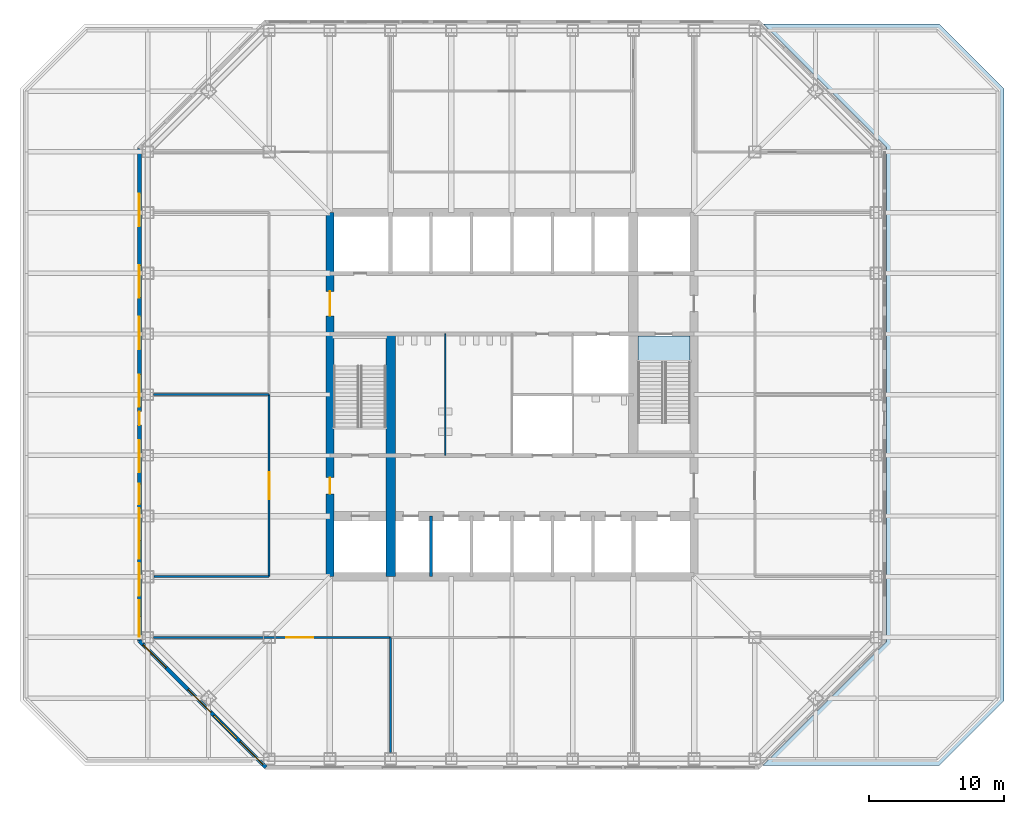
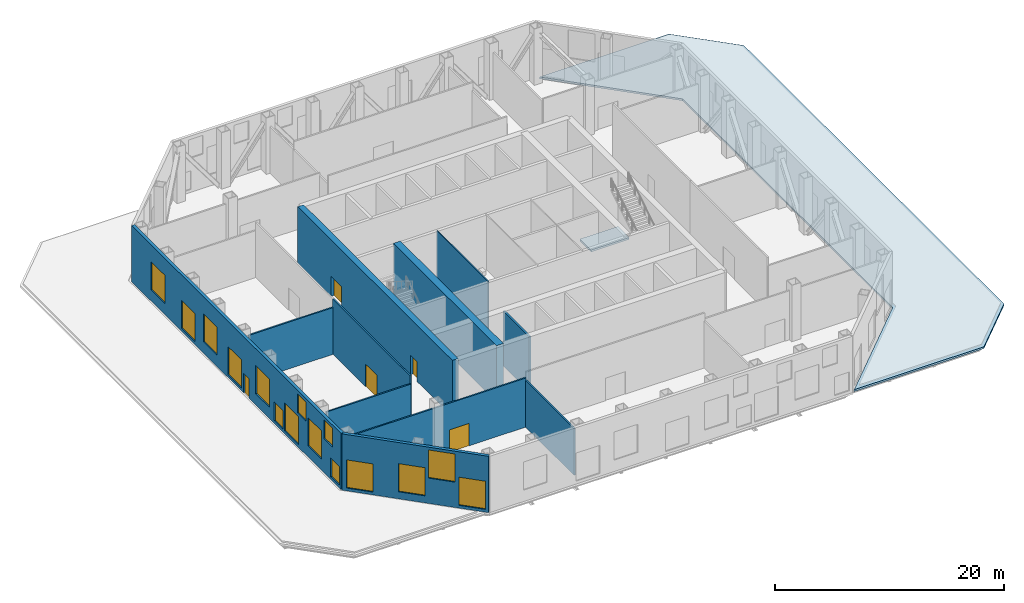
# One storey, part 3 of 10: 15 windows, 11 walls, 5 doors, 2 slabs, 20 openings, 1 element without a shape of its own.
"""IFC4 building model written with IfcOpenShell, lengths in metres."""

from ifc_helpers import new_model, si_unit, direction, frame, frame_2d, origin, place, context, subcontext, project, spatial, polyline, rectangle, outline, extrude, material, layer, layer_set, type_object, element, fill, aggregate, save


model = new_model("IFC4")

# Units and contexts
model_context = context("Model", 3, precision=1e-05, world=origin(), true_north=direction((0.0, 1.0)))
body_context = subcontext(model_context, "Body", "Model", "MODEL_VIEW")
ifc_project = project(units=[si_unit("LENGTHUNIT", "METRE"), si_unit("AREAUNIT", "SQUARE_METRE"), si_unit("VOLUMEUNIT", "CUBIC_METRE"), si_unit("PLANEANGLEUNIT", "RADIAN"), si_unit("MASSUNIT", "GRAM", prefix="KILO")], contexts=[model_context])

# Site, building, storey
site_placement = place(None, origin())
site = spatial("IfcSite", under=ifc_project, at=site_placement, CompositionType="ELEMENT")
building_placement = place(site_placement, origin())
building = spatial("IfcBuilding", under=site, at=building_placement, Name="Corais Broadcast Tower", CompositionType="ELEMENT")
storey_placement = place(building_placement, frame((0.0, 0.0, 23.0)))
storey = spatial("IfcBuildingStorey", under=building, at=storey_placement, Name="L04", CompositionType="ELEMENT", Elevation=23.0)

# Slab
ifc_material_1 = material(Name="Concrete C30/37", Category="concrete")
ifc_layer_1 = layer(ifc_material_1, 0.199951171875)
ifc_layer_set_1 = layer_set([ifc_layer_1], Name="Concrete C30/37")
slab_type_1 = type_object("IfcSlabType", Name="Roof slab 200", PredefinedType="ROOF", material=ifc_layer_set_1)
slab_1_placement = place(storey_placement, frame((0.0, 0.0, -0.199951171875)))
element("IfcSlab", 1, at=slab_1_placement, inside=storey, type_object=slab_type_1, Name="RS1 roof over L03 2, maintenance access only", PredefinedType="ROOF", context=body_context, shape_type="SweptSolid", body=[
    extrude(outline(polyline([(58.69873046875, 54.47998046875), (63.47998046875, 49.69873046875), (63.47998046875, 4.30126953125), (58.69873046875, -0.47998046875), (45.623046875, -0.47998046875), (54.780029296875, 8.677001953125), (54.780029296875, 45.322998046875), (45.623046875, 54.47998046875), (58.69873046875, 54.47998046875)])), origin(), (0.0, 0.0, 1.0), 0.199951171875),
])

# Stair, slab
ifc_material_2 = material(Name="Concrete C30/37", Category="concrete")
stair_type = type_object("IfcStairType", Name="Half-turn stair 6000", PredefinedType="HALF_TURN_STAIR", material=ifc_material_2)
stair_placement = place(storey_placement, origin())
stair = element("IfcStair", 2, at=stair_placement, inside=storey, type_object=stair_type, Name="Stair B L04", PredefinedType="HALF_TURN_STAIR")
ifc_material_3 = material(Name="Concrete C30/37", Category="concrete")
ifc_layer_2 = layer(ifc_material_3, 0.199951171875)
ifc_layer_set_2 = layer_set([ifc_layer_2], Name="Concrete C30/37")
slab_type_2 = type_object("IfcSlabType", Name="Stair landing 200", PredefinedType="LANDING", material=ifc_layer_set_2)
slab_2_placement = place(storey_placement, frame((0.0, 0.0, -0.199951171875)))
slab_2 = element("IfcSlab", 3, at=slab_2_placement, type_object=slab_type_2, Name="STB landing 1", PredefinedType="LANDING", context=body_context, shape_type="SweptSolid", body=[
    extrude(outline(polyline([(36.35009765625, 29.39990234375), (40.199951171875, 29.39990234375), (40.199951171875, 31.35009765625), (36.35009765625, 31.35009765625), (36.35009765625, 29.39990234375)])), origin(), (0.0, 0.0, 1.0), 0.199951171875),
])
aggregate(stair, [slab_2])

# Wall
ifc_material_4 = material(Name="Concrete C50/60", Category="concrete")
ifc_layer_3 = layer(ifc_material_4, 0.699951171875)
ifc_layer_set_3 = layer_set([ifc_layer_3], Name="Concrete C50/60")
wall_type_1 = type_object("IfcWallType", Name="Core spine wall 700", PredefinedType="SHEAR", material=ifc_layer_set_3)
wall_1_placement = place(storey_placement, frame((18.0, 13.5, 0.0), z_axis=(0.0, 0.0, 1.0), x_axis=(0.0, 1.0, 0.0)))
element("IfcWall", 4, at=wall_1_placement, inside=storey, type_object=wall_type_1, Name="CR700 core wall X18A L04", PredefinedType="SHEAR", context=body_context, shape_type="SweptSolid", body=[
    extrude(rectangle(XDim=18.0, YDim=0.699951171875, at=frame_2d((9.0, 0.0))), origin(), (0.0, 0.0, 1.0), 6.0),
])

# Wall, openings, doors
ifc_material_5 = material(Name="Concrete C50/60", Category="concrete")
ifc_layer_4 = layer(ifc_material_5, 0.60009765625)
ifc_layer_set_4 = layer_set([ifc_layer_4], Name="Concrete C50/60")
wall_type_2 = type_object("IfcWallType", Name="Core wall 600", PredefinedType="SHEAR", material=ifc_layer_set_4)
wall_2_placement = place(storey_placement, frame((13.5, 40.5, 0.0), z_axis=(0.0, 0.0, 1.0), x_axis=(0.0, -1.0, 0.0)))
wall_2 = element("IfcWall", 5, at=wall_2_placement, inside=storey, type_object=wall_type_2, Name="CR600 core wall W L04", PredefinedType="SHEAR", context=body_context, shape_type="SweptSolid", body=[
    extrude(rectangle(XDim=27.0, YDim=0.60009765625, at=frame_2d((13.5, 0.0))), origin(), (0.0, 0.0, 1.0), 6.0),
])
opening_1_placement = place(wall_2_placement, frame((19.64990234375, 0.0, 0.0)))
opening_1 = element("IfcOpeningElement", 6, at=opening_1_placement, cuts=wall_2, Name="Opening FD1", PredefinedType="OPENING", context=body_context, shape_type="SweptSolid", body=[
    extrude(rectangle(XDim=1.199951171875, YDim=2.10009765625, at=frame_2d((0.60009765625, 1.050048828125))), frame((0.0, 0.31005859375, 0.0), z_axis=(0.0, -1.0, 0.0), x_axis=(1.0, 0.0, 0.0)), (0.0, 0.0, 1.0), 0.6201171875),
])
opening_2_placement = place(wall_2_placement, frame((5.85009765625, 0.0, 0.0)))
opening_2 = element("IfcOpeningElement", 7, at=opening_2_placement, cuts=wall_2, Name="Opening FD2", PredefinedType="OPENING", context=body_context, shape_type="SweptSolid", body=[
    extrude(rectangle(XDim=1.800048828125, YDim=2.10009765625, at=frame_2d((0.89990234375, 1.050048828125))), frame((0.0, 0.31005859375, 0.0), z_axis=(0.0, -1.0, 0.0), x_axis=(1.0, 0.0, 0.0)), (0.0, 0.0, 1.0), 0.6201171875),
])
ifc_material_6 = material(Name="Steel fire door", Category="steel")
door_type_1 = type_object("IfcDoorType", Name="Fire door 1200x2100", OperationType="SINGLE_SWING_LEFT", PredefinedType="DOOR", material=ifc_material_6)
door_1_placement = place(opening_1_placement, origin())
door_1 = element("IfcDoor", 8, at=door_1_placement, inside=storey, type_object=door_type_1, Name="FD1 fire lobby A door L04", OperationType="SINGLE_SWING_RIGHT", OverallHeight=2.10009765625, OverallWidth=1.199951171875, PredefinedType="DOOR", context=body_context, shape_type="SweptSolid", body=[
    extrude(rectangle(XDim=1.199951171875, YDim=2.10009765625, at=frame_2d((0.60009765625, 1.050048828125))), frame((0.0, 0.02490234375, 0.0), z_axis=(0.0, -1.0, 0.0), x_axis=(1.0, 0.0, 0.0)), (0.0, 0.0, 1.0), 0.050048828125),
])
fill(opening_1, door_1)
ifc_material_7 = material(Name="Steel fire door", Category="steel")
door_type_2 = type_object("IfcDoorType", Name="Fire door pair 1800x2100", OperationType="DOUBLE_DOOR_SINGLE_SWING", PredefinedType="DOOR", material=ifc_material_7)
door_2_placement = place(opening_2_placement, origin())
door_2 = element("IfcDoor", 9, at=door_2_placement, inside=storey, type_object=door_type_2, Name="FD2 lift lobby door L04", OperationType="SINGLE_SWING_LEFT", OverallHeight=2.10009765625, OverallWidth=1.800048828125, PredefinedType="DOOR", context=body_context, shape_type="SweptSolid", body=[
    extrude(rectangle(XDim=1.800048828125, YDim=2.10009765625, at=frame_2d((0.89990234375, 1.050048828125))), frame((0.0, 0.02490234375, 0.0), z_axis=(0.0, -1.0, 0.0), x_axis=(1.0, 0.0, 0.0)), (0.0, 0.0, 1.0), 0.050048828125),
])
fill(opening_2, door_2)

# Wall
ifc_material_8 = material(Name="Two layers of fire-rated gypsum board each side on steel studs", Category="steel")
ifc_layer_5 = layer(ifc_material_8, 0.14990234375)
ifc_layer_set_5 = layer_set([ifc_layer_5], Name="Two layers of fire-rated gypsum board each side on steel studs")
wall_type_3 = type_object("IfcWallType", Name="Fire-rated partition 150 EI 60", PredefinedType="PARTITIONING", material=ifc_layer_set_5)
wall_3_placement = place(storey_placement, frame((18.0, 9.0, 0.0), z_axis=(0.0, 0.0, 1.0), x_axis=(0.0, -1.0, 0.0)))
element("IfcWall", 10, at=wall_3_placement, inside=storey, type_object=wall_type_3, Name="IW7 partition L04", PredefinedType="PARTITIONING", context=body_context, shape_type="SweptSolid", body=[
    extrude(rectangle(XDim=8.5400390625, YDim=0.14990234375, at=frame_2d((4.27001953125, 0.0))), origin(), (0.0, 0.0, 1.0), 4.989013671875),
])

# Wall, opening, door
wall_4_placement = place(storey_placement, frame((18.0, 9.0, 0.0), z_axis=(0.0, 0.0, 1.0), x_axis=(-1.0, 0.0, 0.0)))
wall_4 = element("IfcWall", 11, at=wall_4_placement, inside=storey, type_object=wall_type_3, Name="IW7 partition L04", PredefinedType="PARTITIONING", context=body_context, shape_type="SweptSolid", body=[
    extrude(rectangle(XDim=17.56494140625, YDim=0.14990234375, at=frame_2d((8.782470703125, 0.0))), origin(), (0.0, 0.0, 1.0), 5.22900390625),
])
opening_3_placement = place(wall_4_placement, frame((5.75, 0.0, 0.0)))
opening_3 = element("IfcOpeningElement", 12, at=opening_3_placement, cuts=wall_4, Name="Opening D4", PredefinedType="OPENING", context=body_context, shape_type="SweptSolid", body=[
    extrude(rectangle(XDim=2.0, YDim=2.39990234375, at=frame_2d((1.0, 1.199951171875))), frame((0.0, 0.0849609375, 0.0), z_axis=(0.0, -1.0, 0.0), x_axis=(1.0, 0.0, 0.0)), (0.0, 0.0, 1.0), 0.169921875),
])
ifc_material_9 = material(Name="Steel door", Category="steel")
door_type_3 = type_object("IfcDoorType", Name="Plant room door pair 2000x2400", OperationType="DOUBLE_DOOR_SINGLE_SWING", PredefinedType="DOOR", material=ifc_material_9)
door_3_placement = place(opening_3_placement, origin())
door_3 = element("IfcDoor", 13, at=door_3_placement, inside=storey, type_object=door_type_3, Name="D4 Chilled water plant room door", OperationType="SINGLE_SWING_LEFT", OverallHeight=2.39990234375, OverallWidth=2.0, PredefinedType="DOOR", context=body_context, shape_type="SweptSolid", body=[
    extrude(rectangle(XDim=2.0, YDim=2.39990234375, at=frame_2d((1.0, 1.199951171875))), frame((0.0, 0.02490234375, 0.0), z_axis=(0.0, -1.0, 0.0), x_axis=(1.0, 0.0, 0.0)), (0.0, 0.0, 1.0), 0.050048828125),
])
fill(opening_3, door_3)

# Wall
wall_5_placement = place(storey_placement, frame((0.4599609375, 13.5, 0.0), z_axis=(0.0, 0.0, 1.0), x_axis=(1.0, 0.0, 0.0)))
element("IfcWall", 14, at=wall_5_placement, inside=storey, type_object=wall_type_3, Name="IW7 partition L04", PredefinedType="PARTITIONING", context=body_context, shape_type="SweptSolid", body=[
    extrude(rectangle(XDim=8.5400390625, YDim=0.14990234375, at=frame_2d((4.27001953125, 0.0))), origin(), (0.0, 0.0, 1.0), 4.989013671875),
])

# Wall, opening, door
wall_6_placement = place(storey_placement, frame((9.0, 13.5, 0.0), z_axis=(0.0, 0.0, 1.0), x_axis=(0.0, 1.0, 0.0)))
wall_6 = element("IfcWall", 15, at=wall_6_placement, inside=storey, type_object=wall_type_3, Name="IW7 partition L04", PredefinedType="PARTITIONING", context=body_context, shape_type="SweptSolid", body=[
    extrude(rectangle(XDim=13.5, YDim=0.14990234375, at=frame_2d((6.75, 0.0))), origin(), (0.0, 0.0, 1.0), 5.840087890625),
])
opening_4_placement = place(wall_6_placement, frame((5.75, 0.0, 0.0)))
opening_4 = element("IfcOpeningElement", 16, at=opening_4_placement, cuts=wall_6, Name="Opening D4", PredefinedType="OPENING", context=body_context, shape_type="SweptSolid", body=[
    extrude(rectangle(XDim=2.0, YDim=2.39990234375, at=frame_2d((1.0, 1.199951171875))), frame((0.0, 0.0849609375, 0.0), z_axis=(0.0, -1.0, 0.0), x_axis=(1.0, 0.0, 0.0)), (0.0, 0.0, 1.0), 0.169921875),
])
door_4_placement = place(opening_4_placement, origin())
door_4 = element("IfcDoor", 17, at=door_4_placement, inside=storey, type_object=door_type_3, Name="D4 Heat exchanger plant room door", OperationType="SINGLE_SWING_LEFT", OverallHeight=2.39990234375, OverallWidth=2.0, PredefinedType="DOOR", context=body_context, shape_type="SweptSolid", body=[
    extrude(rectangle(XDim=2.0, YDim=2.39990234375, at=frame_2d((1.0, 1.199951171875))), frame((0.0, 0.02490234375, 0.0), z_axis=(0.0, -1.0, 0.0), x_axis=(1.0, 0.0, 0.0)), (0.0, 0.0, 1.0), 0.050048828125),
])
fill(opening_4, door_4)

# Walls
wall_7_placement = place(storey_placement, frame((9.0, 27.0, 0.0), z_axis=(0.0, 0.0, 1.0), x_axis=(-1.0, 0.0, 0.0)))
element("IfcWall", 18, at=wall_7_placement, inside=storey, type_object=wall_type_3, Name="IW7 partition L04", PredefinedType="PARTITIONING", context=body_context, shape_type="SweptSolid", body=[
    extrude(rectangle(XDim=8.56494140625, YDim=0.14990234375, at=frame_2d((4.282470703125, 0.0))), origin(), (0.0, 0.0, 1.0), 4.989013671875),
])
ifc_material_10 = material(Name="Concrete blockwork class A, grouted, two-hour", Category="masonry")
ifc_layer_6 = layer(ifc_material_10, 0.199951171875)
ifc_layer_set_6 = layer_set([ifc_layer_6], Name="Concrete blockwork class A, grouted, two-hour")
wall_type_4 = type_object("IfcWallType", Name="Shaft wall 200", PredefinedType="PARTITIONING", material=ifc_layer_set_6)
wall_8_placement = place(storey_placement, frame((21.0, 13.5, 0.0), z_axis=(0.0, 0.0, 1.0), x_axis=(0.0, 1.0, 0.0)))
element("IfcWall", 19, at=wall_8_placement, inside=storey, type_object=wall_type_4, Name="IW1 shaft wall L04", PredefinedType="PARTITIONING", context=body_context, shape_type="SweptSolid", body=[
    extrude(rectangle(XDim=4.5, YDim=0.199951171875, at=frame_2d((2.25, 0.0))), origin(), (0.0, 0.0, 1.0), 5.840087890625),
])

# Wall, openings, windows
ifc_material_11 = material(Name="Precast concrete C40/50", Category="concrete")
ifc_layer_7 = layer(ifc_material_11, 0.300048828125)
ifc_layer_set_7 = layer_set([ifc_layer_7], Name="Precast concrete C40/50")
wall_type_5 = type_object("IfcWallType", Name="Stone-faced precast wall 300", PredefinedType="SOLIDWALL", material=ifc_layer_set_7)
wall_9_placement = place(storey_placement, frame((8.739013671875, -0.6298828125, 0.0), z_axis=(0.0, 0.0, 1.0), x_axis=(-0.707106781187, 0.707106781187, 0.0)))
wall_9 = element("IfcWall", 20, at=wall_9_placement, inside=storey, type_object=wall_type_5, Name="EW1 external wall L04 1", PredefinedType="SOLIDWALL", context=body_context, shape_type="SweptSolid", body=[
    extrude(rectangle(XDim=13.24951171875, YDim=0.300048828125, at=frame_2d((6.624755859375, 0.0))), origin(), (0.0, 0.0, 1.0), 6.0),
])
opening_5_placement = place(wall_9_placement, frame((0.300048828125, 0.0, 0.300048828125)))
opening_5 = element("IfcOpeningElement", 21, at=opening_5_placement, cuts=wall_9, Name="Opening LV1", PredefinedType="OPENING", context=body_context, shape_type="SweptSolid", body=[
    extrude(rectangle(XDim=2.39990234375, YDim=3.0, at=frame_2d((1.199951171875, 1.5))), frame((0.0, 0.159912109375, 0.0), z_axis=(0.0, -1.0, 0.0), x_axis=(1.0, 0.0, 0.0)), (0.0, 0.0, 1.0), 0.320068359375),
])
opening_6_placement = place(wall_9_placement, frame((3.050048828125, 0.0, 2.699951171875)))
opening_6 = element("IfcOpeningElement", 22, at=opening_6_placement, cuts=wall_9, Name="Opening LV1", PredefinedType="OPENING", context=body_context, shape_type="SweptSolid", body=[
    extrude(rectangle(XDim=2.39990234375, YDim=3.0, at=frame_2d((1.199951171875, 1.5))), frame((0.0, 0.159912109375, 0.0), z_axis=(0.0, -1.0, 0.0), x_axis=(1.0, 0.0, 0.0)), (0.0, 0.0, 1.0), 0.320068359375),
])
opening_7_placement = place(wall_9_placement, frame((5.75, 0.0, 0.75)))
opening_7 = element("IfcOpeningElement", 23, at=opening_7_placement, cuts=wall_9, Name="Opening LV1", PredefinedType="OPENING", context=body_context, shape_type="SweptSolid", body=[
    extrude(rectangle(XDim=2.39990234375, YDim=3.0, at=frame_2d((1.199951171875, 1.5))), frame((0.0, 0.159912109375, 0.0), z_axis=(0.0, -1.0, 0.0), x_axis=(1.0, 0.0, 0.0)), (0.0, 0.0, 1.0), 0.320068359375),
])
opening_8_placement = place(wall_9_placement, frame((10.449951171875, 0.0, 0.300048828125)))
opening_8 = element("IfcOpeningElement", 24, at=opening_8_placement, cuts=wall_9, Name="Opening LV1", PredefinedType="OPENING", context=body_context, shape_type="SweptSolid", body=[
    extrude(rectangle(XDim=2.39990234375, YDim=3.0, at=frame_2d((1.199951171875, 1.5))), frame((0.0, 0.159912109375, 0.0), z_axis=(0.0, -1.0, 0.0), x_axis=(1.0, 0.0, 0.0)), (0.0, 0.0, 1.0), 0.320068359375),
])
ifc_material_12 = material(Name="Aluminium frame", Category="aluminium")
window_type_1 = type_object("IfcWindowType", Name="Plant louvre 2400x3000", PartitioningType="SINGLE_PANEL", PredefinedType="USERDEFINED", material=ifc_material_12)
window_1_placement = place(opening_5_placement, origin())
window_1 = element("IfcWindow", 25, at=window_1_placement, inside=storey, type_object=window_type_1, Name="LV1 window L04", ObjectType="LOUVRE", OverallHeight=3.0, OverallWidth=2.39990234375, PartitioningType="SINGLE_PANEL", PredefinedType="USERDEFINED", context=body_context, shape_type="SweptSolid", body=[
    extrude(rectangle(XDim=2.39990234375, YDim=3.0, at=frame_2d((1.199951171875, 1.5))), frame((0.0, 0.030029296875, 0.0), z_axis=(0.0, -1.0, 0.0), x_axis=(1.0, 0.0, 0.0)), (0.0, 0.0, 1.0), 0.06005859375),
])
fill(opening_5, window_1)
window_2_placement = place(opening_6_placement, origin())
window_2 = element("IfcWindow", 26, at=window_2_placement, inside=storey, type_object=window_type_1, Name="LV1 window L04", ObjectType="LOUVRE", OverallHeight=3.0, OverallWidth=2.39990234375, PartitioningType="SINGLE_PANEL", PredefinedType="USERDEFINED", context=body_context, shape_type="SweptSolid", body=[
    extrude(rectangle(XDim=2.39990234375, YDim=3.0, at=frame_2d((1.199951171875, 1.5))), frame((0.0, 0.030029296875, 0.0), z_axis=(0.0, -1.0, 0.0), x_axis=(1.0, 0.0, 0.0)), (0.0, 0.0, 1.0), 0.06005859375),
])
fill(opening_6, window_2)
window_3_placement = place(opening_7_placement, origin())
window_3 = element("IfcWindow", 27, at=window_3_placement, inside=storey, type_object=window_type_1, Name="LV1 window L04", ObjectType="LOUVRE", OverallHeight=3.0, OverallWidth=2.39990234375, PartitioningType="SINGLE_PANEL", PredefinedType="USERDEFINED", context=body_context, shape_type="SweptSolid", body=[
    extrude(rectangle(XDim=2.39990234375, YDim=3.0, at=frame_2d((1.199951171875, 1.5))), frame((0.0, 0.030029296875, 0.0), z_axis=(0.0, -1.0, 0.0), x_axis=(1.0, 0.0, 0.0)), (0.0, 0.0, 1.0), 0.06005859375),
])
fill(opening_7, window_3)
window_4_placement = place(opening_8_placement, origin())
window_4 = element("IfcWindow", 28, at=window_4_placement, inside=storey, type_object=window_type_1, Name="LV1 window L04", ObjectType="LOUVRE", OverallHeight=3.0, OverallWidth=2.39990234375, PartitioningType="SINGLE_PANEL", PredefinedType="USERDEFINED", context=body_context, shape_type="SweptSolid", body=[
    extrude(rectangle(XDim=2.39990234375, YDim=3.0, at=frame_2d((1.199951171875, 1.5))), frame((0.0, 0.030029296875, 0.0), z_axis=(0.0, -1.0, 0.0), x_axis=(1.0, 0.0, 0.0)), (0.0, 0.0, 1.0), 0.06005859375),
])
fill(opening_8, window_4)

# Wall, openings, door, windows
wall_10_placement = place(storey_placement, frame((-0.6298828125, 8.739013671875, 0.0), z_axis=(0.0, 0.0, 1.0), x_axis=(0.0, 1.0, 0.0)))
wall_10 = element("IfcWall", 29, at=wall_10_placement, inside=storey, type_object=wall_type_5, Name="EW1 external wall L04 2", PredefinedType="SOLIDWALL", context=body_context, shape_type="SweptSolid", body=[
    extrude(rectangle(XDim=36.52197265625, YDim=0.300048828125, at=frame_2d((18.260986328125, 0.0))), origin(), (0.0, 0.0, 1.0), 6.0),
])
opening_9_placement = place(wall_10_placement, frame((16.010986328125, 0.0, 0.0)))
opening_9 = element("IfcOpeningElement", 30, at=opening_9_placement, cuts=wall_10, Name="Opening XD1", PredefinedType="OPENING", context=body_context, shape_type="SweptSolid", body=[
    extrude(rectangle(XDim=1.0, YDim=2.10009765625, at=frame_2d((0.5, 1.050048828125))), frame((0.0, 0.159912109375, 0.0), z_axis=(0.0, -1.0, 0.0), x_axis=(1.0, 0.0, 0.0)), (0.0, 0.0, 1.0), 0.320068359375),
])
opening_10_placement = place(wall_10_placement, frame((0.300048828125, 0.0, 0.300048828125)))
opening_10 = element("IfcOpeningElement", 31, at=opening_10_placement, cuts=wall_10, Name="Opening LV3", PredefinedType="OPENING", context=body_context, shape_type="SweptSolid", body=[
    extrude(rectangle(XDim=1.5, YDim=2.0, at=frame_2d((0.75, 1.0))), frame((0.0, 0.159912109375, 0.0), z_axis=(0.0, -1.0, 0.0), x_axis=(1.0, 0.0, 0.0)), (0.0, 0.0, 1.0), 0.320068359375),
])
opening_11_placement = place(wall_10_placement, frame((3.365234375, 0.0, 1.199951171875)))
opening_11 = element("IfcOpeningElement", 32, at=opening_11_placement, cuts=wall_10, Name="Opening LV1", PredefinedType="OPENING", context=body_context, shape_type="SweptSolid", body=[
    extrude(rectangle(XDim=2.39990234375, YDim=3.0, at=frame_2d((1.199951171875, 1.5))), frame((0.0, 0.159912109375, 0.0), z_axis=(0.0, -1.0, 0.0), x_axis=(1.0, 0.0, 0.0)), (0.0, 0.0, 1.0), 0.320068359375),
])
opening_12_placement = place(wall_10_placement, frame((1.5, 0.0, 3.64990234375)))
opening_12 = element("IfcOpeningElement", 33, at=opening_12_placement, cuts=wall_10, Name="Opening LV3", PredefinedType="OPENING", context=body_context, shape_type="SweptSolid", body=[
    extrude(rectangle(XDim=1.5, YDim=2.0, at=frame_2d((0.75, 1.0))), frame((0.0, 0.159912109375, 0.0), z_axis=(0.0, -1.0, 0.0), x_axis=(1.0, 0.0, 0.0)), (0.0, 0.0, 1.0), 0.320068359375),
])
opening_13_placement = place(wall_10_placement, frame((6.10009765625, 0.0, 3.60009765625)))
opening_13 = element("IfcOpeningElement", 34, at=opening_13_placement, cuts=wall_10, Name="Opening LV3", PredefinedType="OPENING", context=body_context, shape_type="SweptSolid", body=[
    extrude(rectangle(XDim=1.5, YDim=2.0, at=frame_2d((0.75, 1.0))), frame((0.0, 0.159912109375, 0.0), z_axis=(0.0, -1.0, 0.0), x_axis=(1.0, 0.0, 0.0)), (0.0, 0.0, 1.0), 0.320068359375),
])
opening_14_placement = place(wall_10_placement, frame((12.495849609375, 0.0, 1.199951171875)))
opening_14 = element("IfcOpeningElement", 35, at=opening_14_placement, cuts=wall_10, Name="Opening LV1", PredefinedType="OPENING", context=body_context, shape_type="SweptSolid", body=[
    extrude(rectangle(XDim=2.39990234375, YDim=3.0, at=frame_2d((1.199951171875, 1.5))), frame((0.0, 0.159912109375, 0.0), z_axis=(0.0, -1.0, 0.0), x_axis=(1.0, 0.0, 0.0)), (0.0, 0.0, 1.0), 0.320068359375),
])
opening_15_placement = place(wall_10_placement, frame((7.449951171875, 0.0, 0.300048828125)))
opening_15 = element("IfcOpeningElement", 36, at=opening_15_placement, cuts=wall_10, Name="Opening LV1", PredefinedType="OPENING", context=body_context, shape_type="SweptSolid", body=[
    extrude(rectangle(XDim=2.39990234375, YDim=3.0, at=frame_2d((1.199951171875, 1.5))), frame((0.0, 0.159912109375, 0.0), z_axis=(0.0, -1.0, 0.0), x_axis=(1.0, 0.0, 0.0)), (0.0, 0.0, 1.0), 0.320068359375),
])
opening_16_placement = place(wall_10_placement, frame((21.626220703125, 0.0, 1.199951171875)))
opening_16 = element("IfcOpeningElement", 37, at=opening_16_placement, cuts=wall_10, Name="Opening LV1", PredefinedType="OPENING", context=body_context, shape_type="SweptSolid", body=[
    extrude(rectangle(XDim=2.39990234375, YDim=3.0, at=frame_2d((1.199951171875, 1.5))), frame((0.0, 0.159912109375, 0.0), z_axis=(0.0, -1.0, 0.0), x_axis=(1.0, 0.0, 0.0)), (0.0, 0.0, 1.0), 0.320068359375),
])
opening_17_placement = place(wall_10_placement, frame((10.14990234375, 0.0, 0.300048828125)))
opening_17 = element("IfcOpeningElement", 38, at=opening_17_placement, cuts=wall_10, Name="Opening LV3", PredefinedType="OPENING", context=body_context, shape_type="SweptSolid", body=[
    extrude(rectangle(XDim=1.5, YDim=2.0, at=frame_2d((0.75, 1.0))), frame((0.0, 0.159912109375, 0.0), z_axis=(0.0, -1.0, 0.0), x_axis=(1.0, 0.0, 0.0)), (0.0, 0.0, 1.0), 0.320068359375),
])
opening_18_placement = place(wall_10_placement, frame((17.35009765625, 0.0, 0.300048828125)))
opening_18 = element("IfcOpeningElement", 39, at=opening_18_placement, cuts=wall_10, Name="Opening LV1", PredefinedType="OPENING", context=body_context, shape_type="SweptSolid", body=[
    extrude(rectangle(XDim=2.39990234375, YDim=3.0, at=frame_2d((1.199951171875, 1.5))), frame((0.0, 0.159912109375, 0.0), z_axis=(0.0, -1.0, 0.0), x_axis=(1.0, 0.0, 0.0)), (0.0, 0.0, 1.0), 0.320068359375),
])
opening_19_placement = place(wall_10_placement, frame((30.7568359375, 0.0, 1.199951171875)))
opening_19 = element("IfcOpeningElement", 40, at=opening_19_placement, cuts=wall_10, Name="Opening LV1", PredefinedType="OPENING", context=body_context, shape_type="SweptSolid", body=[
    extrude(rectangle(XDim=2.39990234375, YDim=3.0, at=frame_2d((1.199951171875, 1.5))), frame((0.0, 0.159912109375, 0.0), z_axis=(0.0, -1.0, 0.0), x_axis=(1.0, 0.0, 0.0)), (0.0, 0.0, 1.0), 0.320068359375),
])
opening_20_placement = place(wall_10_placement, frame((25.449951171875, 0.0, 0.300048828125)))
opening_20 = element("IfcOpeningElement", 41, at=opening_20_placement, cuts=wall_10, Name="Opening LV1", PredefinedType="OPENING", context=body_context, shape_type="SweptSolid", body=[
    extrude(rectangle(XDim=2.39990234375, YDim=3.0, at=frame_2d((1.199951171875, 1.5))), frame((0.0, 0.159912109375, 0.0), z_axis=(0.0, -1.0, 0.0), x_axis=(1.0, 0.0, 0.0)), (0.0, 0.0, 1.0), 0.320068359375),
])
ifc_material_13 = material(Name="Steel door", Category="steel")
door_type_4 = type_object("IfcDoorType", Name="External single door 1000x2100", OperationType="SINGLE_SWING_LEFT", PredefinedType="DOOR", material=ifc_material_13)
door_5_placement = place(opening_9_placement, origin())
door_5 = element("IfcDoor", 42, at=door_5_placement, inside=storey, type_object=door_type_4, Name="XD1 roof access door L04, maintenance access only", OperationType="SINGLE_SWING_LEFT", OverallHeight=2.10009765625, OverallWidth=1.0, PredefinedType="DOOR", context=body_context, shape_type="SweptSolid", body=[
    extrude(rectangle(XDim=1.0, YDim=2.10009765625, at=frame_2d((0.5, 1.050048828125))), frame((0.0, 0.02490234375, 0.0), z_axis=(0.0, -1.0, 0.0), x_axis=(1.0, 0.0, 0.0)), (0.0, 0.0, 1.0), 0.050048828125),
])
fill(opening_9, door_5)
ifc_material_14 = material(Name="Aluminium frame", Category="aluminium")
window_type_2 = type_object("IfcWindowType", Name="Plant louvre 1500x2000", PartitioningType="SINGLE_PANEL", PredefinedType="USERDEFINED", material=ifc_material_14)
window_5_placement = place(opening_10_placement, origin())
window_5 = element("IfcWindow", 43, at=window_5_placement, inside=storey, type_object=window_type_2, Name="LV3 window L04", ObjectType="LOUVRE", OverallHeight=2.0, OverallWidth=1.5, PartitioningType="SINGLE_PANEL", PredefinedType="USERDEFINED", context=body_context, shape_type="SweptSolid", body=[
    extrude(rectangle(XDim=1.5, YDim=2.0, at=frame_2d((0.75, 1.0))), frame((0.0, 0.030029296875, 0.0), z_axis=(0.0, -1.0, 0.0), x_axis=(1.0, 0.0, 0.0)), (0.0, 0.0, 1.0), 0.06005859375),
])
fill(opening_10, window_5)
window_6_placement = place(opening_12_placement, origin())
window_6 = element("IfcWindow", 44, at=window_6_placement, inside=storey, type_object=window_type_2, Name="LV3 window L04", ObjectType="LOUVRE", OverallHeight=2.0, OverallWidth=1.5, PartitioningType="SINGLE_PANEL", PredefinedType="USERDEFINED", context=body_context, shape_type="SweptSolid", body=[
    extrude(rectangle(XDim=1.5, YDim=2.0, at=frame_2d((0.75, 1.0))), frame((0.0, 0.030029296875, 0.0), z_axis=(0.0, -1.0, 0.0), x_axis=(1.0, 0.0, 0.0)), (0.0, 0.0, 1.0), 0.06005859375),
])
fill(opening_12, window_6)
window_7_placement = place(opening_13_placement, origin())
window_7 = element("IfcWindow", 45, at=window_7_placement, inside=storey, type_object=window_type_2, Name="LV3 window L04", ObjectType="LOUVRE", OverallHeight=2.0, OverallWidth=1.5, PartitioningType="SINGLE_PANEL", PredefinedType="USERDEFINED", context=body_context, shape_type="SweptSolid", body=[
    extrude(rectangle(XDim=1.5, YDim=2.0, at=frame_2d((0.75, 1.0))), frame((0.0, 0.030029296875, 0.0), z_axis=(0.0, -1.0, 0.0), x_axis=(1.0, 0.0, 0.0)), (0.0, 0.0, 1.0), 0.06005859375),
])
fill(opening_13, window_7)
window_8_placement = place(opening_17_placement, origin())
window_8 = element("IfcWindow", 46, at=window_8_placement, inside=storey, type_object=window_type_2, Name="LV3 window L04", ObjectType="LOUVRE", OverallHeight=2.0, OverallWidth=1.5, PartitioningType="SINGLE_PANEL", PredefinedType="USERDEFINED", context=body_context, shape_type="SweptSolid", body=[
    extrude(rectangle(XDim=1.5, YDim=2.0, at=frame_2d((0.75, 1.0))), frame((0.0, 0.030029296875, 0.0), z_axis=(0.0, -1.0, 0.0), x_axis=(1.0, 0.0, 0.0)), (0.0, 0.0, 1.0), 0.06005859375),
])
fill(opening_17, window_8)
window_9_placement = place(opening_11_placement, origin())
window_9 = element("IfcWindow", 47, at=window_9_placement, inside=storey, type_object=window_type_1, Name="LV1 window L04", ObjectType="LOUVRE", OverallHeight=3.0, OverallWidth=2.39990234375, PartitioningType="SINGLE_PANEL", PredefinedType="USERDEFINED", context=body_context, shape_type="SweptSolid", body=[
    extrude(rectangle(XDim=2.39990234375, YDim=3.0, at=frame_2d((1.199951171875, 1.5))), frame((0.0, 0.030029296875, 0.0), z_axis=(0.0, -1.0, 0.0), x_axis=(1.0, 0.0, 0.0)), (0.0, 0.0, 1.0), 0.06005859375),
])
fill(opening_11, window_9)
window_10_placement = place(opening_14_placement, origin())
window_10 = element("IfcWindow", 48, at=window_10_placement, inside=storey, type_object=window_type_1, Name="LV1 window L04", ObjectType="LOUVRE", OverallHeight=3.0, OverallWidth=2.39990234375, PartitioningType="SINGLE_PANEL", PredefinedType="USERDEFINED", context=body_context, shape_type="SweptSolid", body=[
    extrude(rectangle(XDim=2.39990234375, YDim=3.0, at=frame_2d((1.199951171875, 1.5))), frame((0.0, 0.030029296875, 0.0), z_axis=(0.0, -1.0, 0.0), x_axis=(1.0, 0.0, 0.0)), (0.0, 0.0, 1.0), 0.06005859375),
])
fill(opening_14, window_10)
window_11_placement = place(opening_15_placement, origin())
window_11 = element("IfcWindow", 49, at=window_11_placement, inside=storey, type_object=window_type_1, Name="LV1 window L04", ObjectType="LOUVRE", OverallHeight=3.0, OverallWidth=2.39990234375, PartitioningType="SINGLE_PANEL", PredefinedType="USERDEFINED", context=body_context, shape_type="SweptSolid", body=[
    extrude(rectangle(XDim=2.39990234375, YDim=3.0, at=frame_2d((1.199951171875, 1.5))), frame((0.0, 0.030029296875, 0.0), z_axis=(0.0, -1.0, 0.0), x_axis=(1.0, 0.0, 0.0)), (0.0, 0.0, 1.0), 0.06005859375),
])
fill(opening_15, window_11)
window_12_placement = place(opening_16_placement, origin())
window_12 = element("IfcWindow", 50, at=window_12_placement, inside=storey, type_object=window_type_1, Name="LV1 window L04", ObjectType="LOUVRE", OverallHeight=3.0, OverallWidth=2.39990234375, PartitioningType="SINGLE_PANEL", PredefinedType="USERDEFINED", context=body_context, shape_type="SweptSolid", body=[
    extrude(rectangle(XDim=2.39990234375, YDim=3.0, at=frame_2d((1.199951171875, 1.5))), frame((0.0, 0.030029296875, 0.0), z_axis=(0.0, -1.0, 0.0), x_axis=(1.0, 0.0, 0.0)), (0.0, 0.0, 1.0), 0.06005859375),
])
fill(opening_16, window_12)
window_13_placement = place(opening_18_placement, origin())
window_13 = element("IfcWindow", 51, at=window_13_placement, inside=storey, type_object=window_type_1, Name="LV1 window L04", ObjectType="LOUVRE", OverallHeight=3.0, OverallWidth=2.39990234375, PartitioningType="SINGLE_PANEL", PredefinedType="USERDEFINED", context=body_context, shape_type="SweptSolid", body=[
    extrude(rectangle(XDim=2.39990234375, YDim=3.0, at=frame_2d((1.199951171875, 1.5))), frame((0.0, 0.030029296875, 0.0), z_axis=(0.0, -1.0, 0.0), x_axis=(1.0, 0.0, 0.0)), (0.0, 0.0, 1.0), 0.06005859375),
])
fill(opening_18, window_13)
window_14_placement = place(opening_19_placement, origin())
window_14 = element("IfcWindow", 52, at=window_14_placement, inside=storey, type_object=window_type_1, Name="LV1 window L04", ObjectType="LOUVRE", OverallHeight=3.0, OverallWidth=2.39990234375, PartitioningType="SINGLE_PANEL", PredefinedType="USERDEFINED", context=body_context, shape_type="SweptSolid", body=[
    extrude(rectangle(XDim=2.39990234375, YDim=3.0, at=frame_2d((1.199951171875, 1.5))), frame((0.0, 0.030029296875, 0.0), z_axis=(0.0, -1.0, 0.0), x_axis=(1.0, 0.0, 0.0)), (0.0, 0.0, 1.0), 0.06005859375),
])
fill(opening_19, window_14)
window_15_placement = place(opening_20_placement, origin())
window_15 = element("IfcWindow", 53, at=window_15_placement, inside=storey, type_object=window_type_1, Name="LV1 window L04", ObjectType="LOUVRE", OverallHeight=3.0, OverallWidth=2.39990234375, PartitioningType="SINGLE_PANEL", PredefinedType="USERDEFINED", context=body_context, shape_type="SweptSolid", body=[
    extrude(rectangle(XDim=2.39990234375, YDim=3.0, at=frame_2d((1.199951171875, 1.5))), frame((0.0, 0.030029296875, 0.0), z_axis=(0.0, -1.0, 0.0), x_axis=(1.0, 0.0, 0.0)), (0.0, 0.0, 1.0), 0.06005859375),
])
fill(opening_20, window_15)

# Wall
ifc_material_15 = material(Name="Dense concrete blockwork class A, tiled both faces", Category="masonry")
ifc_layer_8 = layer(ifc_material_15, 0.10009765625)
ifc_layer_set_8 = layer_set([ifc_layer_8], Name="Dense concrete blockwork class A, tiled both faces")
wall_type_6 = type_object("IfcWallType", Name="Toilet wall 100", PredefinedType="PLUMBINGWALL", material=ifc_layer_set_8)
wall_11_placement = place(storey_placement, frame((22.050048828125, 22.5, 0.0), z_axis=(0.0, 0.0, 1.0), x_axis=(0.0, 1.0, 0.0)))
element("IfcWall", 54, at=wall_11_placement, inside=storey, type_object=wall_type_6, Name="IW2 toilet wall L04", PredefinedType="PLUMBINGWALL", context=body_context, shape_type="SweptSolid", body=[
    extrude(rectangle(XDim=9.0, YDim=0.10009765625, at=frame_2d((4.5, 0.0))), origin(), (0.0, 0.0, 1.0), 5.840087890625),
])

save(model, "model.ifc")
